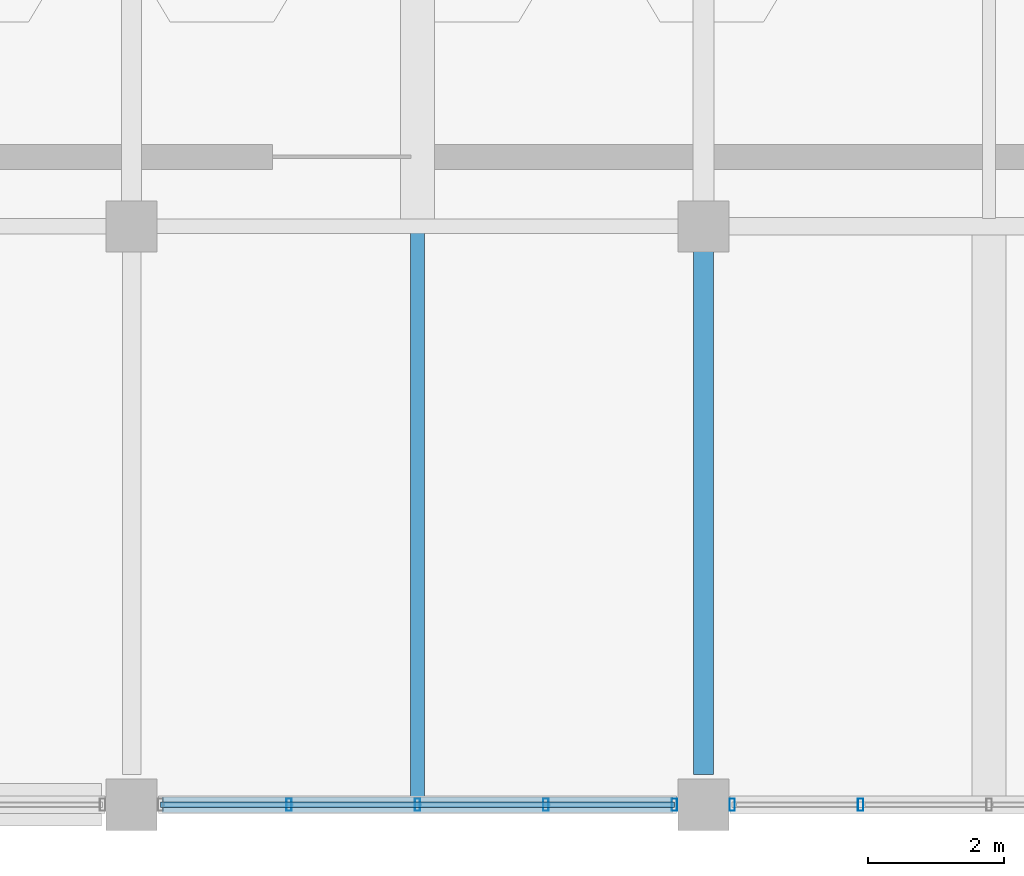
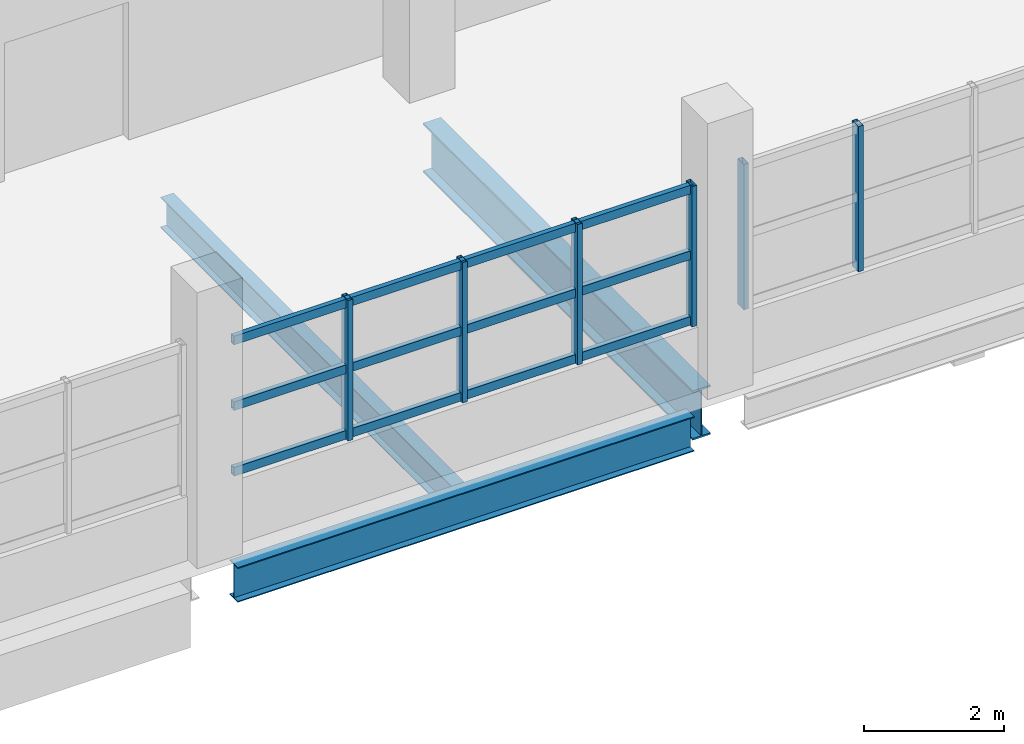
# One storey, part 55 of 117: 9 members, 3 beams, 2 elements without a shape of their own.
"""IFC4 building model written with IfcOpenShell, lengths in metres."""

from ifc_helpers import new_model, si_unit, direction, frame, origin, origin_2d, place, context, subcontext, project, spatial, hollow_rectangle, i_section, extrude, material, material_profile, profile_set, type_object, element, aggregate, save


model = new_model("IFC4")

# Units and contexts
model_context = context("Model", 3, precision=1e-05, world=origin(), true_north=direction((0.0, 1.0)))
body_context = subcontext(model_context, "Body", "Model", "MODEL_VIEW")
ifc_project = project(units=[si_unit("LENGTHUNIT", "METRE"), si_unit("AREAUNIT", "SQUARE_METRE"), si_unit("VOLUMEUNIT", "CUBIC_METRE"), si_unit("PLANEANGLEUNIT", "RADIAN"), si_unit("MASSUNIT", "GRAM", prefix="KILO")], contexts=[model_context])

# Site, building, storey
site_placement = place(None, origin())
site = spatial("IfcSite", under=ifc_project, at=site_placement, CompositionType="ELEMENT")
building_placement = place(site_placement, origin())
building = spatial("IfcBuilding", under=site, at=building_placement, Name="Solvento Point Concert Hall", CompositionType="ELEMENT")
storey_placement = place(building_placement, frame((0.0, 0.0, 5.39990234375)))
storey = spatial("IfcBuildingStorey", under=building, at=storey_placement, Name="L01", CompositionType="ELEMENT", Elevation=5.39990234375)

# Beams
ifc_material_1 = material(Name="Structural Steel ASTM A992 Grade 50", Category="steel")
ifc_material_profile_1 = material_profile(ifc_material_1, i_section(OverallWidth=0.20947265625, OverallDepth=0.532958984375, WebThickness=0.01025390625, FlangeThickness=0.015625, at=origin_2d()), Name="W21X62")
ifc_profile_set_1 = profile_set([ifc_material_profile_1], Name="Structural Steel ASTM A992 Grade 50")
beam_type_1 = type_object("IfcBeamType", Name="Beam_W21X62", PredefinedType="BEAM", material=ifc_profile_set_1)
beam_1_placement = place(storey_placement, frame((179.39990234375, 0.099365234375, -0.6904296875), z_axis=(0.0, 1.0, 0.0), x_axis=(-1.0, 0.0, 0.0)))
element("IfcBeam", 1, at=beam_1_placement, inside=storey, type_object=beam_type_1, Name="Secondary floor joist B-25 L01", PredefinedType="BEAM", context=body_context, shape_type="SweptSolid", body=[
    extrude(i_section(OverallWidth=0.20947265625, OverallDepth=0.532958984375, WebThickness=0.01025390625, FlangeThickness=0.015625, at=origin_2d()), origin(), (0.0, 0.0, 1.0), 8.30859375),
])
ifc_material_2 = material(Name="Structural Steel ASTM A992 Grade 50", Category="steel")
ifc_material_profile_2 = material_profile(ifc_material_2, i_section(OverallWidth=0.228515625, OverallDepth=0.60791015625, WebThickness=0.01123046875, FlangeThickness=0.017333984375, at=origin_2d()), Name="W24X76")
ifc_profile_set_2 = profile_set([ifc_material_profile_2], Name="Structural Steel ASTM A992 Grade 50")
beam_type_2 = type_object("IfcBeamType", Name="Beam_W24X76", PredefinedType="BEAM", material=ifc_profile_set_2)
beam_2_placement = place(storey_placement, frame((175.64404296875, 0.0, -0.727783203125), z_axis=(1.0, 0.0, 0.0), x_axis=(0.0, 1.0, 0.0)))
element("IfcBeam", 2, at=beam_2_placement, inside=storey, type_object=beam_type_2, Name="Primary girder B-42 L01", PredefinedType="BEAM", context=body_context, shape_type="SweptSolid", body=[
    extrude(i_section(OverallWidth=0.228515625, OverallDepth=0.60791015625, WebThickness=0.01123046875, FlangeThickness=0.017333984375, at=origin_2d()), origin(), (0.0, 0.0, 1.0), 7.511962890625),
])
ifc_material_3 = material(Name="Structural Steel ASTM A992 Grade 50", Category="steel")
ifc_material_profile_3 = material_profile(ifc_material_3, i_section(OverallWidth=0.2919921875, OverallDepth=0.85888671875, WebThickness=0.01708984375, FlangeThickness=0.031005859375, at=origin_2d()), Name="W33X169")
ifc_profile_set_3 = profile_set([ifc_material_profile_3], Name="Structural Steel ASTM A992 Grade 50")
beam_type_3 = type_object("IfcBeamType", Name="Girder_W33X169", PredefinedType="USERDEFINED", material=ifc_profile_set_3)
beam_3_placement = place(storey_placement, frame((183.60009765625, 0.444091796875, -0.853515625), z_axis=(0.0, 1.0, 0.0), x_axis=(-1.0, 0.0, 0.0)))
element("IfcBeam", 3, at=beam_3_placement, inside=storey, type_object=beam_type_3, Name="Primary girder B-33 L01", ObjectType="GIRDER", PredefinedType="USERDEFINED", context=body_context, shape_type="SweptSolid", body=[
    extrude(i_section(OverallWidth=0.2919921875, OverallDepth=0.85888671875, WebThickness=0.01708984375, FlangeThickness=0.031005859375, at=origin_2d()), origin(), (0.0, 0.0, 1.0), 7.68701171875),
])

# Curtain wall, members
ifc_material_4 = material(Name="Anodized Bronze Aluminium", Category="aluminium")
curtain_wall_type = type_object("IfcCurtainWallType", Name="CurtainWall_ChamberCircle", PredefinedType="USERDEFINED", material=ifc_material_4)
curtain_wall_1_placement = place(storey_placement, origin())
curtain_wall_1 = element("IfcCurtainWall", 4, at=curtain_wall_1_placement, inside=storey, type_object=curtain_wall_type, Name="Unitised curtain wall CW-32 UCW-L01-089", ObjectType="UNITISED CURTAIN WALL", PredefinedType="USERDEFINED")
ifc_material_5 = material(Name="Anodized Bronze Aluminium", Category="aluminium")
ifc_material_profile_4 = material_profile(ifc_material_5, hollow_rectangle(XDim=0.080078125, YDim=0.179931640625, WallThickness=0.00390625, at=origin_2d()), Name="CW-MUL-80X180")
ifc_profile_set_4 = profile_set([ifc_material_profile_4], Name="Anodized Bronze Aluminium")
member_type_1 = type_object("IfcMemberType", Name="Mullion_80x180", PredefinedType="MULLION", material=ifc_profile_set_4)
member_1_placement = place(storey_placement, frame((177.512451171875, 0.0, 1.1201171875), z_axis=(0.0, 0.0, 1.0), x_axis=(1.0, 0.0, 0.0)))
member_1 = element("IfcMember", 5, at=member_1_placement, type_object=member_type_1, Name="Curtain wall mullion ML-01", PredefinedType="MULLION", context=body_context, shape_type="SweptSolid", body=[
    extrude(hollow_rectangle(XDim=0.080078125, YDim=0.179931640625, WallThickness=0.00390625, at=origin_2d()), origin(), (0.0, 0.0, 1.0), 2.444091796875),
])
member_2_placement = place(storey_placement, frame((179.39990234375, 0.0, 1.1201171875), z_axis=(0.0, 0.0, 1.0), x_axis=(1.0, 0.0, 0.0)))
member_2 = element("IfcMember", 6, at=member_2_placement, type_object=member_type_1, Name="Curtain wall mullion ML-01", PredefinedType="MULLION", context=body_context, shape_type="SweptSolid", body=[
    extrude(hollow_rectangle(XDim=0.080078125, YDim=0.179931640625, WallThickness=0.00390625, at=origin_2d()), origin(), (0.0, 0.0, 1.0), 2.444091796875),
])
member_3_placement = place(storey_placement, frame((181.28759765625, 0.0, 1.1201171875), z_axis=(0.0, 0.0, 1.0), x_axis=(1.0, 0.0, 0.0)))
member_3 = element("IfcMember", 7, at=member_3_placement, type_object=member_type_1, Name="Curtain wall mullion ML-01", PredefinedType="MULLION", context=body_context, shape_type="SweptSolid", body=[
    extrude(hollow_rectangle(XDim=0.080078125, YDim=0.179931640625, WallThickness=0.00390625, at=origin_2d()), origin(), (0.0, 0.0, 1.0), 2.444091796875),
])
member_4_placement = place(storey_placement, frame((183.175048828125, 0.0, 1.1201171875), z_axis=(0.0, 0.0, 1.0), x_axis=(1.0, 0.0, 0.0)))
member_4 = element("IfcMember", 8, at=member_4_placement, type_object=member_type_1, Name="Curtain wall mullion ML-01", PredefinedType="MULLION", context=body_context, shape_type="SweptSolid", body=[
    extrude(hollow_rectangle(XDim=0.080078125, YDim=0.179931640625, WallThickness=0.00390625, at=origin_2d()), origin(), (0.0, 0.0, 1.0), 2.444091796875),
])

curtain_wall_2_placement = place(storey_placement, origin())
curtain_wall_2 = element("IfcCurtainWall", 9, at=curtain_wall_2_placement, inside=storey, type_object=curtain_wall_type, Name="Unitised curtain wall CW-32 UCW-L01-090", ObjectType="UNITISED CURTAIN WALL", PredefinedType="USERDEFINED")
member_5_placement = place(storey_placement, frame((184.02490234375, 0.0, 1.1201171875), z_axis=(0.0, 0.0, 1.0), x_axis=(1.0, 0.0, 0.0)))
member_5 = element("IfcMember", 10, at=member_5_placement, type_object=member_type_1, Name="Curtain wall mullion ML-01", PredefinedType="MULLION", context=body_context, shape_type="SweptSolid", body=[
    extrude(hollow_rectangle(XDim=0.080078125, YDim=0.179931640625, WallThickness=0.00390625, at=origin_2d()), origin(), (0.0, 0.0, 1.0), 2.531005859375),
])
member_6_placement = place(storey_placement, frame((185.91259765625, 0.0, 1.1201171875), z_axis=(0.0, 0.0, 1.0), x_axis=(1.0, 0.0, 0.0)))
member_6 = element("IfcMember", 11, at=member_6_placement, type_object=member_type_1, Name="Curtain wall mullion ML-01", PredefinedType="MULLION", context=body_context, shape_type="SweptSolid", body=[
    extrude(hollow_rectangle(XDim=0.080078125, YDim=0.179931640625, WallThickness=0.00390625, at=origin_2d()), origin(), (0.0, 0.0, 1.0), 2.531005859375),
])
aggregate(curtain_wall_2, [member_5, member_6])

# Member
ifc_material_6 = material(Name="Anodized Bronze Aluminium", Category="aluminium")
ifc_material_profile_5 = material_profile(ifc_material_6, hollow_rectangle(XDim=0.080078125, YDim=0.14990234375, WallThickness=0.00390625, at=origin_2d()), Name="CW-TRN-80X150")
ifc_profile_set_5 = profile_set([ifc_material_profile_5], Name="Anodized Bronze Aluminium")
member_type_2 = type_object("IfcMemberType", Name="Transom_80x150", PredefinedType="USERDEFINED", material=ifc_profile_set_5)
member_7_placement = place(storey_placement, frame((175.625, 0.0, 1.2001953125), z_axis=(1.0, 0.0, 0.0), x_axis=(0.0, 1.0, 0.0)))
member_7 = element("IfcMember", 12, at=member_7_placement, type_object=member_type_2, Name="Curtain wall transom TR-01", ObjectType="TRANSOM", PredefinedType="USERDEFINED", context=body_context, shape_type="SweptSolid", body=[
    extrude(hollow_rectangle(XDim=0.080078125, YDim=0.14990234375, WallThickness=0.00390625, at=origin_2d()), origin(), (0.0, 0.0, 1.0), 7.550048828125),
])

member_8_placement = place(storey_placement, frame((175.625, 0.0, 2.342041015625), z_axis=(1.0, 0.0, 0.0), x_axis=(0.0, 1.0, 0.0)))
member_8 = element("IfcMember", 13, at=member_8_placement, type_object=member_type_2, Name="Curtain wall transom TR-01", ObjectType="TRANSOM", PredefinedType="USERDEFINED", context=body_context, shape_type="SweptSolid", body=[
    extrude(hollow_rectangle(XDim=0.080078125, YDim=0.14990234375, WallThickness=0.00390625, at=origin_2d()), origin(), (0.0, 0.0, 1.0), 7.550048828125),
])

member_9_placement = place(storey_placement, frame((175.625, 0.0, 3.484130859375), z_axis=(1.0, 0.0, 0.0), x_axis=(0.0, 1.0, 0.0)))
member_9 = element("IfcMember", 14, at=member_9_placement, type_object=member_type_2, Name="Curtain wall transom TR-01", ObjectType="TRANSOM", PredefinedType="USERDEFINED", context=body_context, shape_type="SweptSolid", body=[
    extrude(hollow_rectangle(XDim=0.080078125, YDim=0.14990234375, WallThickness=0.00390625, at=origin_2d()), origin(), (0.0, 0.0, 1.0), 7.550048828125),
])

aggregate(curtain_wall_1, [member_1, member_2, member_3, member_4, member_7, member_8, member_9])

save(model, "model.ifc")
